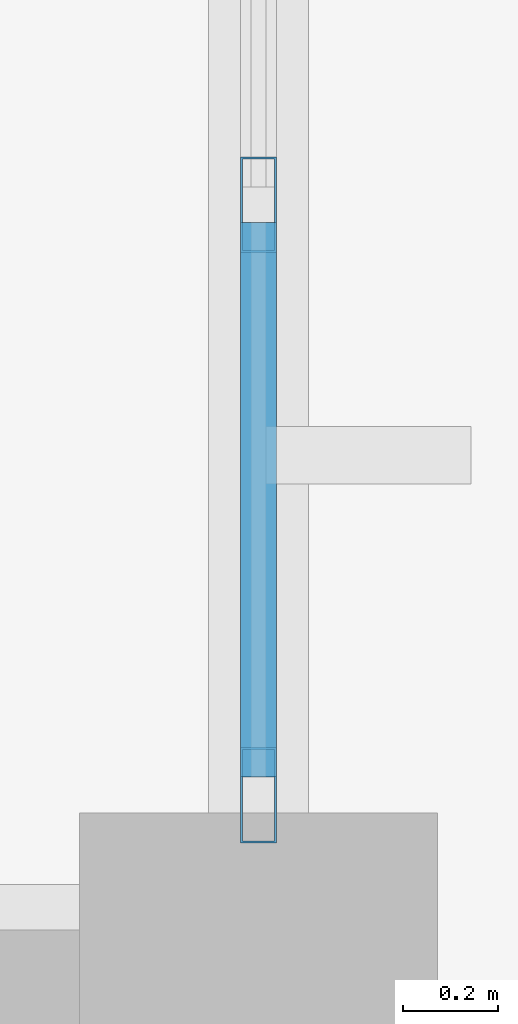
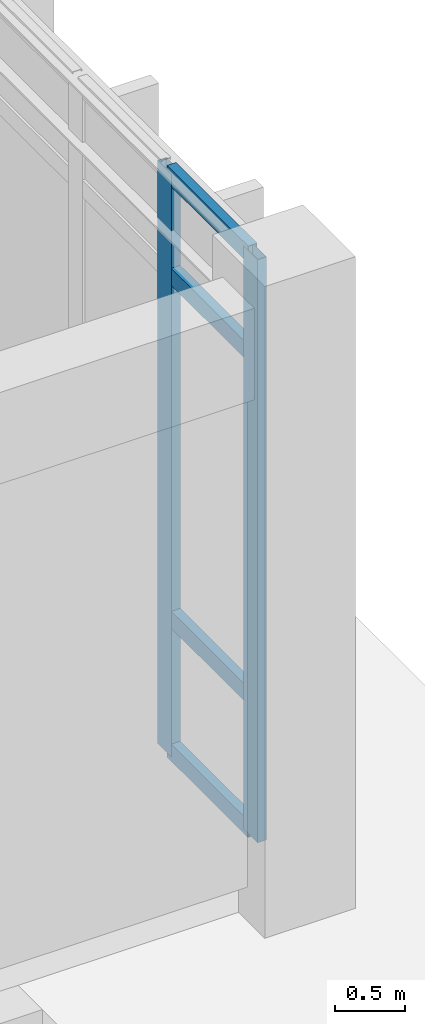
# One storey, part 90 of 188: 6 members, 1 element without a shape of its own.
"""IFC4 building model written with IfcOpenShell, lengths in metres."""

from ifc_helpers import new_model, si_unit, direction, frame, origin, origin_2d, place, context, subcontext, project, spatial, hollow_rectangle, extrude, material, layer, layer_set, material_profile, profile_set, type_object, element, aggregate, save


model = new_model("IFC4")

# Units and contexts
model_context = context("Model", 3, precision=1e-05, world=origin(), true_north=direction((0.0, 1.0)))
body_context = subcontext(model_context, "Body", "Model", "MODEL_VIEW")
ifc_project = project(units=[si_unit("LENGTHUNIT", "METRE"), si_unit("AREAUNIT", "SQUARE_METRE"), si_unit("VOLUMEUNIT", "CUBIC_METRE"), si_unit("PLANEANGLEUNIT", "RADIAN"), si_unit("MASSUNIT", "GRAM", prefix="KILO")], contexts=[model_context])

# Site, building, storey
site_placement = place(None, origin())
site = spatial("IfcSite", under=ifc_project, at=site_placement, CompositionType="ELEMENT")
building_placement = place(site_placement, origin())
building = spatial("IfcBuilding", under=site, at=building_placement, Name="Pandanus Reach Market Hall", CompositionType="ELEMENT")
storey_placement = place(building_placement, origin())
storey = spatial("IfcBuildingStorey", under=building, at=storey_placement, Name="L00", CompositionType="ELEMENT", Elevation=0.0)

# Curtain wall, members
ifc_material_1 = material(Name="Bronze anodised aluminium and low-E glass", Category="aluminium")
ifc_layer = layer(ifc_material_1, 0.199951171875, Name="CW-03")
ifc_layer_set = layer_set([ifc_layer], Name="Bronze anodised aluminium and low-E glass")
curtain_wall_type = type_object("IfcCurtainWallType", Name="CW-03", PredefinedType="NOTDEFINED", material=ifc_layer_set)
curtain_wall_placement = place(storey_placement, origin())
curtain_wall = element("IfcCurtainWall", 1, at=curtain_wall_placement, inside=storey, type_object=curtain_wall_type, Name="Glazed curtain wall CW-03 CW-0020", PredefinedType="NOTDEFINED")
ifc_material_2 = material(Name="Bronze anodised aluminium", Category="aluminium")
ifc_material_profile_1 = material_profile(ifc_material_2, hollow_rectangle(XDim=0.074951171875, YDim=0.199951171875, WallThickness=0.00439453125, at=origin_2d()), Name="ALU75x200", Category="LoadBearing")
ifc_profile_set_1 = profile_set([ifc_material_profile_1], Name="Bronze anodised aluminium")
member_type_1 = type_object("IfcMemberType", Name="CW-M2", PredefinedType="MULLION", material=ifc_profile_set_1)
member_1_placement = place(storey_placement, frame((132.0, 29.21240234375, 0.0), z_axis=(0.0, 0.0, 1.0), x_axis=(-1.0, 0.0, 0.0)))
member_1 = element("IfcMember", 2, at=member_1_placement, type_object=member_type_1, Name="CW-03 mullion 1", PredefinedType="MULLION", context=body_context, shape_type="SweptSolid", body=[
    extrude(hollow_rectangle(XDim=0.074951171875, YDim=0.199951171875, WallThickness=0.00439453125, at=origin_2d()), origin(), (0.0, 0.0, 1.0), 5.10009765625),
])
member_2_placement = place(storey_placement, frame((132.0, 30.449951171875, 0.0), z_axis=(0.0, 0.0, 1.0), x_axis=(-1.0, 0.0, 0.0)))
member_2 = element("IfcMember", 3, at=member_2_placement, type_object=member_type_1, Name="CW-03 mullion 2", PredefinedType="MULLION", context=body_context, shape_type="SweptSolid", body=[
    extrude(hollow_rectangle(XDim=0.074951171875, YDim=0.199951171875, WallThickness=0.00439453125, at=origin_2d()), origin(), (0.0, 0.0, 1.0), 5.10009765625),
])
ifc_material_profile_2 = material_profile(ifc_material_2, hollow_rectangle(XDim=0.074951171875, YDim=0.14990234375, WallThickness=0.00439453125, at=origin_2d()), Name="ALU75x150", Category="LoadBearing")
ifc_profile_set_2 = profile_set([ifc_material_profile_2], Name="Bronze anodised aluminium")
member_type_2 = type_object("IfcMemberType", Name="CW-T2", PredefinedType="USERDEFINED", material=ifc_profile_set_2)
member_3_placement = place(storey_placement, frame((132.0, 29.25, 0.03759765625), z_axis=(0.0, 1.0, 0.0), x_axis=(-1.0, 0.0, 0.0)))
member_3 = element("IfcMember", 4, at=member_3_placement, type_object=member_type_2, Name="CW-03 transom 1.1", ObjectType="TRANSOM", PredefinedType="USERDEFINED", context=body_context, shape_type="SweptSolid", body=[
    extrude(hollow_rectangle(XDim=0.074951171875, YDim=0.14990234375, WallThickness=0.00439453125, at=origin_2d()), origin(), (0.0, 0.0, 1.0), 1.16259765625),
])
member_4_placement = place(storey_placement, frame((132.0, 29.25, 1.199951171875), z_axis=(0.0, 1.0, 0.0), x_axis=(-1.0, 0.0, 0.0)))
member_4 = element("IfcMember", 5, at=member_4_placement, type_object=member_type_2, Name="CW-03 transom 1.2", ObjectType="TRANSOM", PredefinedType="USERDEFINED", context=body_context, shape_type="SweptSolid", body=[
    extrude(hollow_rectangle(XDim=0.074951171875, YDim=0.14990234375, WallThickness=0.00439453125, at=origin_2d()), origin(), (0.0, 0.0, 1.0), 1.16259765625),
])
member_5_placement = place(storey_placement, frame((132.0, 29.25, 4.199951171875), z_axis=(0.0, 1.0, 0.0), x_axis=(-1.0, 0.0, 0.0)))
member_5 = element("IfcMember", 6, at=member_5_placement, type_object=member_type_2, Name="CW-03 transom 1.3", ObjectType="TRANSOM", PredefinedType="USERDEFINED", context=body_context, shape_type="SweptSolid", body=[
    extrude(hollow_rectangle(XDim=0.074951171875, YDim=0.14990234375, WallThickness=0.00439453125, at=origin_2d()), origin(), (0.0, 0.0, 1.0), 1.16259765625),
])
member_6_placement = place(storey_placement, frame((132.0, 29.25, 5.0625), z_axis=(0.0, 1.0, 0.0), x_axis=(-1.0, 0.0, 0.0)))
member_6 = element("IfcMember", 7, at=member_6_placement, type_object=member_type_2, Name="CW-03 transom 1.4", ObjectType="TRANSOM", PredefinedType="USERDEFINED", context=body_context, shape_type="SweptSolid", body=[
    extrude(hollow_rectangle(XDim=0.074951171875, YDim=0.14990234375, WallThickness=0.00439453125, at=origin_2d()), origin(), (0.0, 0.0, 1.0), 1.16259765625),
])
aggregate(curtain_wall, [member_1, member_2, member_3, member_4, member_5, member_6])

save(model, "model.ifc")
